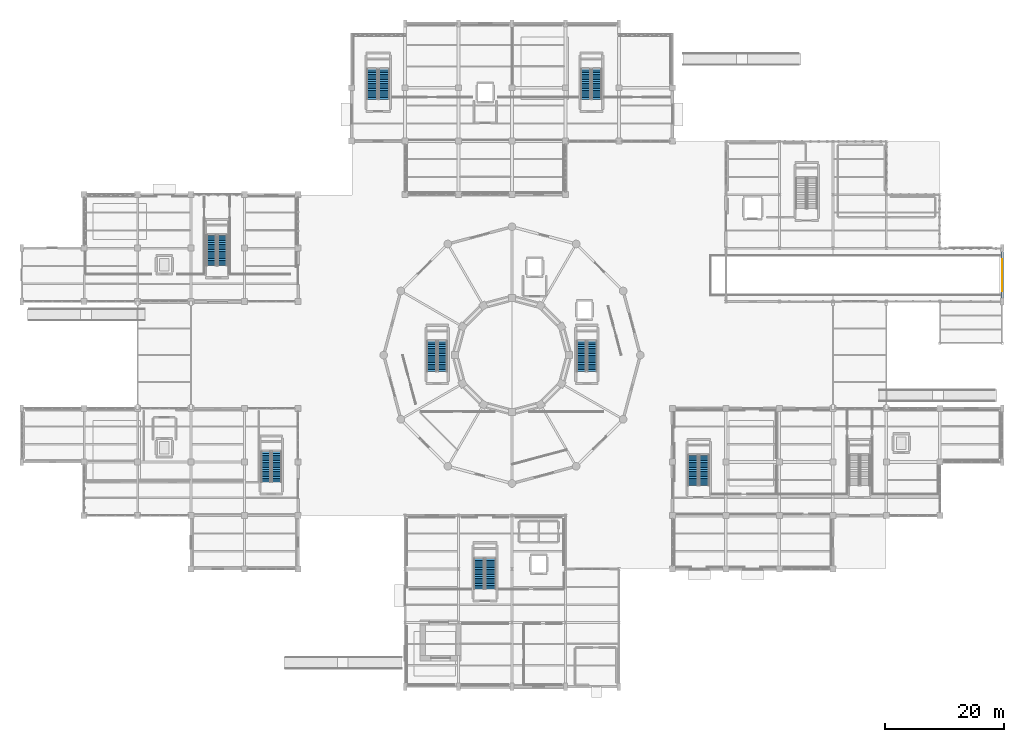
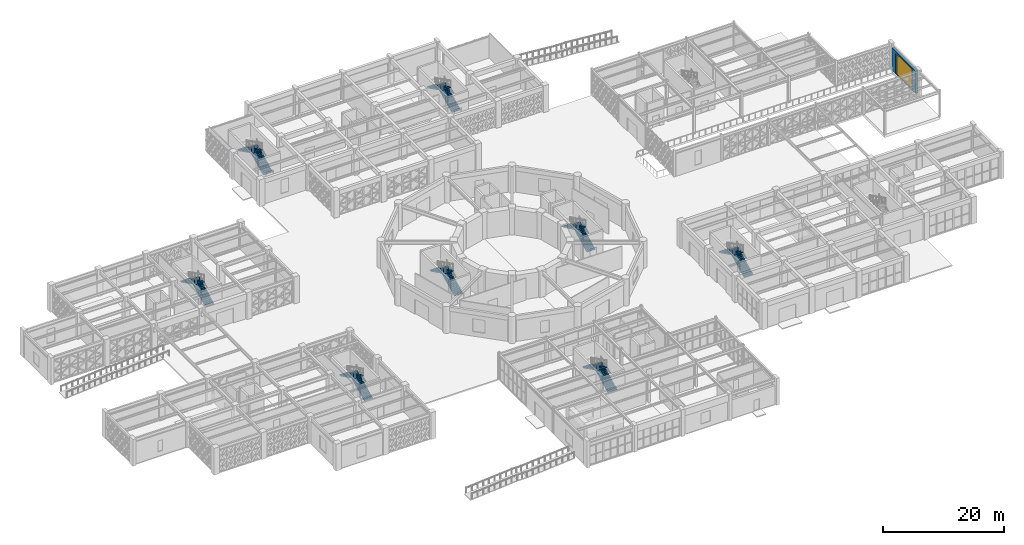
# One storey, part 122 of 140: 16 stair flights, 1 door, 1 wall, 1 opening, 8 elements without a shape of their own.
"""IFC4 building model written with IfcOpenShell, lengths in metres."""

from ifc_helpers import new_model, si_unit, direction, frame, frame_2d, origin, place, context, subcontext, project, spatial, polyline, rectangle, outline, extrude, material, layer, layer_set, type_object, element, fill, aggregate, save


model = new_model("IFC4")

# Units and contexts
model_context = context("Model", 3, precision=1e-05, world=origin(), true_north=direction((0.0, 1.0)))
body_context = subcontext(model_context, "Body", "Model", "MODEL_VIEW")
ifc_project = project(units=[si_unit("LENGTHUNIT", "METRE"), si_unit("AREAUNIT", "SQUARE_METRE"), si_unit("VOLUMEUNIT", "CUBIC_METRE"), si_unit("PLANEANGLEUNIT", "RADIAN"), si_unit("MASSUNIT", "GRAM", prefix="KILO")], contexts=[model_context])

# Site, building, storey
site_placement = place(None, origin())
site = spatial("IfcSite", under=ifc_project, at=site_placement, CompositionType="ELEMENT")
building_placement = place(site_placement, origin())
building = spatial("IfcBuilding", under=site, at=building_placement, Name="Haizhuo Lancet Aquarium", CompositionType="ELEMENT")
storey_placement = place(building_placement, origin())
storey = spatial("IfcBuildingStorey", under=building, at=storey_placement, Name="L00", CompositionType="ELEMENT", Elevation=0.0)

# Wall, opening, door
ifc_material_1 = material(Name="Shandong Grey Limestone Ashlar", Category="masonry")
ifc_layer = layer(ifc_material_1, 0.449951171875)
ifc_layer_set = layer_set([ifc_layer], Name="Shandong Grey Limestone Ashlar")
wall_type = type_object("IfcWallType", Name="EWL-ASH-450", PredefinedType="SOLIDWALL", material=ifc_layer_set)
wall_placement = place(storey_placement, frame((82.5, 17.35498046875, 0.0), z_axis=(0.0, 0.0, 1.0), x_axis=(0.0, -1.0, 0.0)))
wall = element("IfcWall", 1, at=wall_placement, inside=storey, type_object=wall_type, Name="L00 V7 vehicle ramp and loading portal wall", PredefinedType="SOLIDWALL", context=body_context, shape_type="SweptSolid", body=[
    extrude(rectangle(XDim=7.7099609375, YDim=0.449951171875, at=frame_2d((3.85498046875, 0.0))), origin(), (0.0, 0.0, 1.0), 4.550048828125),
])
opening_placement = place(wall_placement, frame((1.205078125, 0.0, 0.0)))
opening = element("IfcOpeningElement", 2, at=opening_placement, cuts=wall, Name="Opening VG-01", PredefinedType="OPENING", context=body_context, shape_type="SweptSolid", body=[
    extrude(rectangle(XDim=5.39990234375, YDim=4.199951171875, at=frame_2d((2.699951171875, 2.10009765625))), frame((0.0, 0.23486328125, 0.0), z_axis=(0.0, -1.0, 0.0), x_axis=(1.0, 0.0, 0.0)), (0.0, 0.0, 1.0), 0.469951),
])
ifc_material_2 = material(Name="Steel S355", Category="steel")
door_type = type_object("IfcDoorType", Name="EDR-VGATE-5400x4200", OperationType="NOTDEFINED", PredefinedType="GATE", material=ifc_material_2)
door_placement = place(opening_placement, origin())
door = element("IfcDoor", 3, at=door_placement, inside=storey, type_object=door_type, Name="B1 Parking Garage exterior rolling shutter gate VG-01", OperationType="ROLLINGUP", OverallHeight=4.199951171875, OverallWidth=5.39990234375, PredefinedType="GATE", context=body_context, shape_type="SweptSolid", body=[
    extrude(rectangle(XDim=5.39990234375, YDim=4.199951171875, at=frame_2d((2.699951171875, 2.10009765625))), frame((0.0, 0.02490234375, 0.0), z_axis=(0.0, -1.0, 0.0), x_axis=(1.0, 0.0, 0.0)), (0.0, 0.0, 1.0), 0.050048828125),
])
fill(opening, door)

# Stair, stair flights
ifc_material_3 = material(Name="Concrete C40/50", Category="concrete")
stair_type_1 = type_object("IfcStairType", Name="STR-HT-1600-54", PredefinedType="HALF_TURN_STAIR", material=ifc_material_3)
stair_1_placement = place(storey_placement, origin())
stair_1 = element("IfcStair", 4, at=stair_1_placement, inside=storey, type_object=stair_type_1, Name="L00 enclosed exit stair ST-01", PredefinedType="HALF_TURN_STAIR")
stair_flight_type_1 = type_object("IfcStairFlightType", Name="FLT-STR-1600-54", PredefinedType="STRAIGHT", material=ifc_material_3)
stair_flight_1_placement = place(storey_placement, frame((-11.699951171875, -2.75, 0.0), z_axis=(0.0, 0.0, 1.0), x_axis=(0.0, 1.0, 0.0)))
stair_flight_1 = element("IfcStairFlight", 5, at=stair_flight_1_placement, type_object=stair_flight_type_1, Name="ST-15 flight 1", NumberOfRisers=18, NumberOfTreads=17, PredefinedType="STRAIGHT", RiserHeight=0.15, TreadLength=0.3, context=body_context, shape_type="SweptSolid", body=[
    extrude(outline(polyline([(0.0, 0.0), (0.0, 0.14990234375), (0.300048828125, 0.14990234375), (0.300048828125, 0.300048828125), (0.60009765625, 0.300048828125), (0.60009765625, 0.449951171875), (0.89990234375, 0.449951171875), (0.89990234375, 0.60009765625), (1.199951171875, 0.60009765625), (1.199951171875, 0.75), (1.5, 0.75), (1.5, 0.89990234375), (1.800048828125, 0.89990234375), (1.800048828125, 1.050048828125), (2.10009765625, 1.050048828125), (2.10009765625, 1.199951171875), (2.39990234375, 1.199951171875), (2.39990234375, 1.35009765625), (2.699951171875, 1.35009765625), (2.699951171875, 1.5), (3.0, 1.5), (3.0, 1.64990234375), (3.300048828125, 1.64990234375), (3.300048828125, 1.800048828125), (3.60009765625, 1.800048828125), (3.60009765625, 1.949951171875), (3.89990234375, 1.949951171875), (3.89990234375, 2.10009765625), (4.199951171875, 2.10009765625), (4.199951171875, 2.25), (4.5, 2.25), (4.5, 2.39990234375), (4.800048828125, 2.39990234375), (4.800048828125, 2.550048828125), (5.10009765625, 2.550048828125), (5.10009765625, 2.699951171875), (5.10009765625, 2.37109375), (0.357666015625, 0.0), (0.0, 0.0)])), frame((0.0, 0.800048828125, 0.0), z_axis=(0.0, -1.0, 0.0), x_axis=(1.0, 0.0, 0.0)), (0.0, 0.0, 1.0), 1.60009765625),
])
stair_flight_2_placement = place(storey_placement, frame((-13.5, 2.35009765625, 2.699951171875), z_axis=(0.0, 0.0, 1.0), x_axis=(0.0, -1.0, 0.0)))
stair_flight_2 = element("IfcStairFlight", 6, at=stair_flight_2_placement, type_object=stair_flight_type_1, Name="ST-15 flight 2", NumberOfRisers=18, NumberOfTreads=17, PredefinedType="STRAIGHT", RiserHeight=0.15, TreadLength=0.3, context=body_context, shape_type="SweptSolid", body=[
    extrude(outline(polyline([(0.0, 0.0), (0.0, 0.14990234375), (0.300048828125, 0.14990234375), (0.300048828125, 0.300048828125), (0.60009765625, 0.300048828125), (0.60009765625, 0.449951171875), (0.89990234375, 0.449951171875), (0.89990234375, 0.60009765625), (1.199951171875, 0.60009765625), (1.199951171875, 0.75), (1.5, 0.75), (1.5, 0.89990234375), (1.800048828125, 0.89990234375), (1.800048828125, 1.050048828125), (2.10009765625, 1.050048828125), (2.10009765625, 1.199951171875), (2.39990234375, 1.199951171875), (2.39990234375, 1.35009765625), (2.699951171875, 1.35009765625), (2.699951171875, 1.5), (3.0, 1.5), (3.0, 1.64990234375), (3.300048828125, 1.64990234375), (3.300048828125, 1.800048828125), (3.60009765625, 1.800048828125), (3.60009765625, 1.949951171875), (3.89990234375, 1.949951171875), (3.89990234375, 2.10009765625), (4.199951171875, 2.10009765625), (4.199951171875, 2.25), (4.5, 2.25), (4.5, 2.39990234375), (4.800048828125, 2.39990234375), (4.800048828125, 2.550048828125), (5.10009765625, 2.550048828125), (5.10009765625, 2.699951171875), (5.10009765625, 2.37109375), (0.357666015625, 0.0), (0.0, 0.0)])), frame((0.0, 0.800048828125, 0.0), z_axis=(0.0, -1.0, 0.0), x_axis=(1.0, 0.0, 0.0)), (0.0, 0.0, 1.0), 1.60009765625),
])
aggregate(stair_1, [stair_flight_1, stair_flight_2])

stair_2_placement = place(storey_placement, origin())
stair_2 = element("IfcStair", 7, at=stair_2_placement, inside=storey, type_object=stair_type_1, Name="L00 enclosed exit stair ST-02", PredefinedType="HALF_TURN_STAIR")
stair_flight_3_placement = place(storey_placement, frame((13.5, -2.75, 0.0), z_axis=(0.0, 0.0, 1.0), x_axis=(0.0, 1.0, 0.0)))
stair_flight_3 = element("IfcStairFlight", 8, at=stair_flight_3_placement, type_object=stair_flight_type_1, Name="ST-15 flight 1", NumberOfRisers=18, NumberOfTreads=17, PredefinedType="STRAIGHT", RiserHeight=0.15, TreadLength=0.3, context=body_context, shape_type="SweptSolid", body=[
    extrude(outline(polyline([(0.0, 0.0), (0.0, 0.14990234375), (0.300048828125, 0.14990234375), (0.300048828125, 0.300048828125), (0.60009765625, 0.300048828125), (0.60009765625, 0.449951171875), (0.89990234375, 0.449951171875), (0.89990234375, 0.60009765625), (1.199951171875, 0.60009765625), (1.199951171875, 0.75), (1.5, 0.75), (1.5, 0.89990234375), (1.800048828125, 0.89990234375), (1.800048828125, 1.050048828125), (2.10009765625, 1.050048828125), (2.10009765625, 1.199951171875), (2.39990234375, 1.199951171875), (2.39990234375, 1.35009765625), (2.699951171875, 1.35009765625), (2.699951171875, 1.5), (3.0, 1.5), (3.0, 1.64990234375), (3.300048828125, 1.64990234375), (3.300048828125, 1.800048828125), (3.60009765625, 1.800048828125), (3.60009765625, 1.949951171875), (3.89990234375, 1.949951171875), (3.89990234375, 2.10009765625), (4.199951171875, 2.10009765625), (4.199951171875, 2.25), (4.5, 2.25), (4.5, 2.39990234375), (4.800048828125, 2.39990234375), (4.800048828125, 2.550048828125), (5.10009765625, 2.550048828125), (5.10009765625, 2.699951171875), (5.10009765625, 2.37109375), (0.357666015625, 0.0), (0.0, 0.0)])), frame((0.0, 0.800048828125, 0.0), z_axis=(0.0, -1.0, 0.0), x_axis=(1.0, 0.0, 0.0)), (0.0, 0.0, 1.0), 1.60009765625),
])
stair_flight_4_placement = place(storey_placement, frame((11.699951171875, 2.35009765625, 2.699951171875), z_axis=(0.0, 0.0, 1.0), x_axis=(0.0, -1.0, 0.0)))
stair_flight_4 = element("IfcStairFlight", 9, at=stair_flight_4_placement, type_object=stair_flight_type_1, Name="ST-15 flight 2", NumberOfRisers=18, NumberOfTreads=17, PredefinedType="STRAIGHT", RiserHeight=0.15, TreadLength=0.3, context=body_context, shape_type="SweptSolid", body=[
    extrude(outline(polyline([(0.0, 0.0), (0.0, 0.14990234375), (0.300048828125, 0.14990234375), (0.300048828125, 0.300048828125), (0.60009765625, 0.300048828125), (0.60009765625, 0.449951171875), (0.89990234375, 0.449951171875), (0.89990234375, 0.60009765625), (1.199951171875, 0.60009765625), (1.199951171875, 0.75), (1.5, 0.75), (1.5, 0.89990234375), (1.800048828125, 0.89990234375), (1.800048828125, 1.050048828125), (2.10009765625, 1.050048828125), (2.10009765625, 1.199951171875), (2.39990234375, 1.199951171875), (2.39990234375, 1.35009765625), (2.699951171875, 1.35009765625), (2.699951171875, 1.5), (3.0, 1.5), (3.0, 1.64990234375), (3.300048828125, 1.64990234375), (3.300048828125, 1.800048828125), (3.60009765625, 1.800048828125), (3.60009765625, 1.949951171875), (3.89990234375, 1.949951171875), (3.89990234375, 2.10009765625), (4.199951171875, 2.10009765625), (4.199951171875, 2.25), (4.5, 2.25), (4.5, 2.39990234375), (4.800048828125, 2.39990234375), (4.800048828125, 2.550048828125), (5.10009765625, 2.550048828125), (5.10009765625, 2.699951171875), (5.10009765625, 2.37109375), (0.357666015625, 0.0), (0.0, 0.0)])), frame((0.0, 0.800048828125, 0.0), z_axis=(0.0, -1.0, 0.0), x_axis=(1.0, 0.0, 0.0)), (0.0, 0.0, 1.0), 1.60009765625),
])
aggregate(stair_2, [stair_flight_3, stair_flight_4])

stair_3_placement = place(storey_placement, origin())
stair_3 = element("IfcStair", 10, at=stair_3_placement, inside=storey, type_object=stair_type_1, Name="L00 enclosed exit stair ST-09", PredefinedType="HALF_TURN_STAIR")
stair_flight_5_placement = place(storey_placement, frame((-39.60009765625, -21.35009765625, 0.0), z_axis=(0.0, 0.0, 1.0), x_axis=(0.0, 1.0, 0.0)))
stair_flight_5 = element("IfcStairFlight", 11, at=stair_flight_5_placement, type_object=stair_flight_type_1, Name="ST-15 flight 1", NumberOfRisers=18, NumberOfTreads=17, PredefinedType="STRAIGHT", RiserHeight=0.15, TreadLength=0.3, context=body_context, shape_type="SweptSolid", body=[
    extrude(outline(polyline([(0.0, 0.0), (0.0, 0.14990234375), (0.300048828125, 0.14990234375), (0.300048828125, 0.300048828125), (0.60009765625, 0.300048828125), (0.60009765625, 0.449951171875), (0.89990234375, 0.449951171875), (0.89990234375, 0.60009765625), (1.199951171875, 0.60009765625), (1.199951171875, 0.75), (1.5, 0.75), (1.5, 0.89990234375), (1.800048828125, 0.89990234375), (1.800048828125, 1.050048828125), (2.10009765625, 1.050048828125), (2.10009765625, 1.199951171875), (2.39990234375, 1.199951171875), (2.39990234375, 1.35009765625), (2.699951171875, 1.35009765625), (2.699951171875, 1.5), (3.0, 1.5), (3.0, 1.64990234375), (3.300048828125, 1.64990234375), (3.300048828125, 1.800048828125), (3.60009765625, 1.800048828125), (3.60009765625, 1.949951171875), (3.89990234375, 1.949951171875), (3.89990234375, 2.10009765625), (4.199951171875, 2.10009765625), (4.199951171875, 2.25), (4.5, 2.25), (4.5, 2.39990234375), (4.800048828125, 2.39990234375), (4.800048828125, 2.550048828125), (5.10009765625, 2.550048828125), (5.10009765625, 2.699951171875), (5.10009765625, 2.37109375), (0.357666015625, 0.0), (0.0, 0.0)])), frame((0.0, 0.800048828125, 0.0), z_axis=(0.0, -1.0, 0.0), x_axis=(1.0, 0.0, 0.0)), (0.0, 0.0, 1.0), 1.60009765625),
])
stair_flight_6_placement = place(storey_placement, frame((-41.39990234375, -16.25, 2.699951171875), z_axis=(0.0, 0.0, 1.0), x_axis=(0.0, -1.0, 0.0)))
stair_flight_6 = element("IfcStairFlight", 12, at=stair_flight_6_placement, type_object=stair_flight_type_1, Name="ST-15 flight 2", NumberOfRisers=18, NumberOfTreads=17, PredefinedType="STRAIGHT", RiserHeight=0.15, TreadLength=0.3, context=body_context, shape_type="SweptSolid", body=[
    extrude(outline(polyline([(0.0, 0.0), (0.0, 0.14990234375), (0.300048828125, 0.14990234375), (0.300048828125, 0.300048828125), (0.60009765625, 0.300048828125), (0.60009765625, 0.449951171875), (0.89990234375, 0.449951171875), (0.89990234375, 0.60009765625), (1.199951171875, 0.60009765625), (1.199951171875, 0.75), (1.5, 0.75), (1.5, 0.89990234375), (1.800048828125, 0.89990234375), (1.800048828125, 1.050048828125), (2.10009765625, 1.050048828125), (2.10009765625, 1.199951171875), (2.39990234375, 1.199951171875), (2.39990234375, 1.35009765625), (2.699951171875, 1.35009765625), (2.699951171875, 1.5), (3.0, 1.5), (3.0, 1.64990234375), (3.300048828125, 1.64990234375), (3.300048828125, 1.800048828125), (3.60009765625, 1.800048828125), (3.60009765625, 1.949951171875), (3.89990234375, 1.949951171875), (3.89990234375, 2.10009765625), (4.199951171875, 2.10009765625), (4.199951171875, 2.25), (4.5, 2.25), (4.5, 2.39990234375), (4.800048828125, 2.39990234375), (4.800048828125, 2.550048828125), (5.10009765625, 2.550048828125), (5.10009765625, 2.699951171875), (5.10009765625, 2.37109375), (0.357666015625, 0.0), (0.0, 0.0)])), frame((0.0, 0.800048828125, 0.0), z_axis=(0.0, -1.0, 0.0), x_axis=(1.0, 0.0, 0.0)), (0.0, 0.0, 1.0), 1.60009765625),
])
aggregate(stair_3, [stair_flight_5, stair_flight_6])

stair_type_2 = type_object("IfcStairType", Name="STR-HT-1650-54", PredefinedType="HALF_TURN_STAIR", material=ifc_material_3)
stair_4_placement = place(storey_placement, origin())
stair_4 = element("IfcStair", 13, at=stair_4_placement, inside=storey, type_object=stair_type_2, Name="L00 enclosed exit stair ST-03", PredefinedType="HALF_TURN_STAIR")
stair_flight_type_2 = type_object("IfcStairFlightType", Name="FLT-STR-1650-54", PredefinedType="STRAIGHT", material=ifc_material_3)
stair_flight_7_placement = place(storey_placement, frame((-48.72509765625, 15.050048828125, 0.0), z_axis=(0.0, 0.0, 1.0), x_axis=(0.0, 1.0, 0.0)))
stair_flight_7 = element("IfcStairFlight", 14, at=stair_flight_7_placement, type_object=stair_flight_type_2, Name="ST-25 flight 1", NumberOfRisers=18, NumberOfTreads=17, PredefinedType="STRAIGHT", RiserHeight=0.15, TreadLength=0.3, context=body_context, shape_type="SweptSolid", body=[
    extrude(outline(polyline([(0.0, 0.0), (0.0, 0.14990234375), (0.300048828125, 0.14990234375), (0.300048828125, 0.300048828125), (0.60009765625, 0.300048828125), (0.60009765625, 0.449951171875), (0.89990234375, 0.449951171875), (0.89990234375, 0.60009765625), (1.199951171875, 0.60009765625), (1.199951171875, 0.75), (1.5, 0.75), (1.5, 0.89990234375), (1.800048828125, 0.89990234375), (1.800048828125, 1.050048828125), (2.10009765625, 1.050048828125), (2.10009765625, 1.199951171875), (2.39990234375, 1.199951171875), (2.39990234375, 1.35009765625), (2.699951171875, 1.35009765625), (2.699951171875, 1.5), (3.0, 1.5), (3.0, 1.64990234375), (3.300048828125, 1.64990234375), (3.300048828125, 1.800048828125), (3.60009765625, 1.800048828125), (3.60009765625, 1.949951171875), (3.89990234375, 1.949951171875), (3.89990234375, 2.10009765625), (4.199951171875, 2.10009765625), (4.199951171875, 2.25), (4.5, 2.25), (4.5, 2.39990234375), (4.800048828125, 2.39990234375), (4.800048828125, 2.550048828125), (5.10009765625, 2.550048828125), (5.10009765625, 2.699951171875), (5.10009765625, 2.37109375), (0.357666015625, 0.0), (0.0, 0.0)])), frame((0.0, 0.824951171875, 0.0), z_axis=(0.0, -1.0, 0.0), x_axis=(1.0, 0.0, 0.0)), (0.0, 0.0, 1.0), 1.64990234375),
])
stair_flight_8_placement = place(storey_placement, frame((-50.574951171875, 20.14990234375, 2.699951171875), z_axis=(0.0, 0.0, 1.0), x_axis=(0.0, -1.0, 0.0)))
stair_flight_8 = element("IfcStairFlight", 15, at=stair_flight_8_placement, type_object=stair_flight_type_2, Name="ST-25 flight 2", NumberOfRisers=18, NumberOfTreads=17, PredefinedType="STRAIGHT", RiserHeight=0.15, TreadLength=0.3, context=body_context, shape_type="SweptSolid", body=[
    extrude(outline(polyline([(0.0, 0.0), (0.0, 0.14990234375), (0.300048828125, 0.14990234375), (0.300048828125, 0.300048828125), (0.60009765625, 0.300048828125), (0.60009765625, 0.449951171875), (0.89990234375, 0.449951171875), (0.89990234375, 0.60009765625), (1.199951171875, 0.60009765625), (1.199951171875, 0.75), (1.5, 0.75), (1.5, 0.89990234375), (1.800048828125, 0.89990234375), (1.800048828125, 1.050048828125), (2.10009765625, 1.050048828125), (2.10009765625, 1.199951171875), (2.39990234375, 1.199951171875), (2.39990234375, 1.35009765625), (2.699951171875, 1.35009765625), (2.699951171875, 1.5), (3.0, 1.5), (3.0, 1.64990234375), (3.300048828125, 1.64990234375), (3.300048828125, 1.800048828125), (3.60009765625, 1.800048828125), (3.60009765625, 1.949951171875), (3.89990234375, 1.949951171875), (3.89990234375, 2.10009765625), (4.199951171875, 2.10009765625), (4.199951171875, 2.25), (4.5, 2.25), (4.5, 2.39990234375), (4.800048828125, 2.39990234375), (4.800048828125, 2.550048828125), (5.10009765625, 2.550048828125), (5.10009765625, 2.699951171875), (5.10009765625, 2.37109375), (0.357666015625, 0.0), (0.0, 0.0)])), frame((0.0, 0.824951171875, 0.0), z_axis=(0.0, -1.0, 0.0), x_axis=(1.0, 0.0, 0.0)), (0.0, 0.0, 1.0), 1.64990234375),
])
aggregate(stair_4, [stair_flight_7, stair_flight_8])

stair_5_placement = place(storey_placement, origin())
stair_5 = element("IfcStair", 16, at=stair_5_placement, inside=storey, type_object=stair_type_2, Name="L00 enclosed exit stair ST-08", PredefinedType="HALF_TURN_STAIR")
stair_flight_9_placement = place(storey_placement, frame((14.27490234375, 43.050048828125, 0.0), z_axis=(0.0, 0.0, 1.0), x_axis=(0.0, 1.0, 0.0)))
stair_flight_9 = element("IfcStairFlight", 17, at=stair_flight_9_placement, type_object=stair_flight_type_2, Name="ST-25 flight 1", NumberOfRisers=18, NumberOfTreads=17, PredefinedType="STRAIGHT", RiserHeight=0.15, TreadLength=0.3, context=body_context, shape_type="SweptSolid", body=[
    extrude(outline(polyline([(0.0, 0.0), (0.0, 0.14990234375), (0.300048828125, 0.14990234375), (0.300048828125, 0.300048828125), (0.60009765625, 0.300048828125), (0.60009765625, 0.449951171875), (0.89990234375, 0.449951171875), (0.89990234375, 0.60009765625), (1.199951171875, 0.60009765625), (1.199951171875, 0.75), (1.5, 0.75), (1.5, 0.89990234375), (1.800048828125, 0.89990234375), (1.800048828125, 1.050048828125), (2.10009765625, 1.050048828125), (2.10009765625, 1.199951171875), (2.39990234375, 1.199951171875), (2.39990234375, 1.35009765625), (2.699951171875, 1.35009765625), (2.699951171875, 1.5), (3.0, 1.5), (3.0, 1.64990234375), (3.300048828125, 1.64990234375), (3.300048828125, 1.800048828125), (3.60009765625, 1.800048828125), (3.60009765625, 1.949951171875), (3.89990234375, 1.949951171875), (3.89990234375, 2.10009765625), (4.199951171875, 2.10009765625), (4.199951171875, 2.25), (4.5, 2.25), (4.5, 2.39990234375), (4.800048828125, 2.39990234375), (4.800048828125, 2.550048828125), (5.10009765625, 2.550048828125), (5.10009765625, 2.699951171875), (5.10009765625, 2.37109375), (0.357666015625, 0.0), (0.0, 0.0)])), frame((0.0, 0.824951171875, 0.0), z_axis=(0.0, -1.0, 0.0), x_axis=(1.0, 0.0, 0.0)), (0.0, 0.0, 1.0), 1.64990234375),
])
stair_flight_10_placement = place(storey_placement, frame((12.425048828125, 48.14990234375, 2.699951171875), z_axis=(0.0, 0.0, 1.0), x_axis=(0.0, -1.0, 0.0)))
stair_flight_10 = element("IfcStairFlight", 18, at=stair_flight_10_placement, type_object=stair_flight_type_2, Name="ST-25 flight 2", NumberOfRisers=18, NumberOfTreads=17, PredefinedType="STRAIGHT", RiserHeight=0.15, TreadLength=0.3, context=body_context, shape_type="SweptSolid", body=[
    extrude(outline(polyline([(0.0, 0.0), (0.0, 0.14990234375), (0.300048828125, 0.14990234375), (0.300048828125, 0.300048828125), (0.60009765625, 0.300048828125), (0.60009765625, 0.449951171875), (0.89990234375, 0.449951171875), (0.89990234375, 0.60009765625), (1.199951171875, 0.60009765625), (1.199951171875, 0.75), (1.5, 0.75), (1.5, 0.89990234375), (1.800048828125, 0.89990234375), (1.800048828125, 1.050048828125), (2.10009765625, 1.050048828125), (2.10009765625, 1.199951171875), (2.39990234375, 1.199951171875), (2.39990234375, 1.35009765625), (2.699951171875, 1.35009765625), (2.699951171875, 1.5), (3.0, 1.5), (3.0, 1.64990234375), (3.300048828125, 1.64990234375), (3.300048828125, 1.800048828125), (3.60009765625, 1.800048828125), (3.60009765625, 1.949951171875), (3.89990234375, 1.949951171875), (3.89990234375, 2.10009765625), (4.199951171875, 2.10009765625), (4.199951171875, 2.25), (4.5, 2.25), (4.5, 2.39990234375), (4.800048828125, 2.39990234375), (4.800048828125, 2.550048828125), (5.10009765625, 2.550048828125), (5.10009765625, 2.699951171875), (5.10009765625, 2.37109375), (0.357666015625, 0.0), (0.0, 0.0)])), frame((0.0, 0.824951171875, 0.0), z_axis=(0.0, -1.0, 0.0), x_axis=(1.0, 0.0, 0.0)), (0.0, 0.0, 1.0), 1.64990234375),
])
aggregate(stair_5, [stair_flight_9, stair_flight_10])

stair_type_3 = type_object("IfcStairType", Name="STR-HT-1700-54", PredefinedType="HALF_TURN_STAIR", material=ifc_material_3)
stair_6_placement = place(storey_placement, origin())
stair_6 = element("IfcStair", 19, at=stair_6_placement, inside=storey, type_object=stair_type_3, Name="L00 enclosed exit stair ST-04", PredefinedType="HALF_TURN_STAIR")
stair_flight_type_3 = type_object("IfcStairFlightType", Name="FLT-STR-1700-54", PredefinedType="STRAIGHT", material=ifc_material_3)
stair_flight_11_placement = place(storey_placement, frame((32.35009765625, -21.949951171875, 0.0), z_axis=(0.0, 0.0, 1.0), x_axis=(0.0, 1.0, 0.0)))
stair_flight_11 = element("IfcStairFlight", 20, at=stair_flight_11_placement, type_object=stair_flight_type_3, Name="ST-35 flight 1", NumberOfRisers=18, NumberOfTreads=17, PredefinedType="STRAIGHT", RiserHeight=0.15, TreadLength=0.3, context=body_context, shape_type="SweptSolid", body=[
    extrude(outline(polyline([(0.0, 0.0), (0.0, 0.14990234375), (0.300048828125, 0.14990234375), (0.300048828125, 0.300048828125), (0.60009765625, 0.300048828125), (0.60009765625, 0.449951171875), (0.89990234375, 0.449951171875), (0.89990234375, 0.60009765625), (1.199951171875, 0.60009765625), (1.199951171875, 0.75), (1.5, 0.75), (1.5, 0.89990234375), (1.800048828125, 0.89990234375), (1.800048828125, 1.050048828125), (2.10009765625, 1.050048828125), (2.10009765625, 1.199951171875), (2.39990234375, 1.199951171875), (2.39990234375, 1.35009765625), (2.699951171875, 1.35009765625), (2.699951171875, 1.5), (3.0, 1.5), (3.0, 1.64990234375), (3.300048828125, 1.64990234375), (3.300048828125, 1.800048828125), (3.60009765625, 1.800048828125), (3.60009765625, 1.949951171875), (3.89990234375, 1.949951171875), (3.89990234375, 2.10009765625), (4.199951171875, 2.10009765625), (4.199951171875, 2.25), (4.5, 2.25), (4.5, 2.39990234375), (4.800048828125, 2.39990234375), (4.800048828125, 2.550048828125), (5.10009765625, 2.550048828125), (5.10009765625, 2.699951171875), (5.10009765625, 2.37109375), (0.357666015625, 0.0), (0.0, 0.0)])), frame((0.0, 0.85009765625, 0.0), z_axis=(0.0, -1.0, 0.0), x_axis=(1.0, 0.0, 0.0)), (0.0, 0.0, 1.0), 1.699951171875),
])
stair_flight_12_placement = place(storey_placement, frame((30.449951171875, -16.85009765625, 2.699951171875), z_axis=(0.0, 0.0, 1.0), x_axis=(0.0, -1.0, 0.0)))
stair_flight_12 = element("IfcStairFlight", 21, at=stair_flight_12_placement, type_object=stair_flight_type_3, Name="ST-35 flight 2", NumberOfRisers=18, NumberOfTreads=17, PredefinedType="STRAIGHT", RiserHeight=0.15, TreadLength=0.3, context=body_context, shape_type="SweptSolid", body=[
    extrude(outline(polyline([(0.0, 0.0), (0.0, 0.14990234375), (0.300048828125, 0.14990234375), (0.300048828125, 0.300048828125), (0.60009765625, 0.300048828125), (0.60009765625, 0.449951171875), (0.89990234375, 0.449951171875), (0.89990234375, 0.60009765625), (1.199951171875, 0.60009765625), (1.199951171875, 0.75), (1.5, 0.75), (1.5, 0.89990234375), (1.800048828125, 0.89990234375), (1.800048828125, 1.050048828125), (2.10009765625, 1.050048828125), (2.10009765625, 1.199951171875), (2.39990234375, 1.199951171875), (2.39990234375, 1.35009765625), (2.699951171875, 1.35009765625), (2.699951171875, 1.5), (3.0, 1.5), (3.0, 1.64990234375), (3.300048828125, 1.64990234375), (3.300048828125, 1.800048828125), (3.60009765625, 1.800048828125), (3.60009765625, 1.949951171875), (3.89990234375, 1.949951171875), (3.89990234375, 2.10009765625), (4.199951171875, 2.10009765625), (4.199951171875, 2.25), (4.5, 2.25), (4.5, 2.39990234375), (4.800048828125, 2.39990234375), (4.800048828125, 2.550048828125), (5.10009765625, 2.550048828125), (5.10009765625, 2.699951171875), (5.10009765625, 2.37109375), (0.357666015625, 0.0), (0.0, 0.0)])), frame((0.0, 0.85009765625, 0.0), z_axis=(0.0, -1.0, 0.0), x_axis=(1.0, 0.0, 0.0)), (0.0, 0.0, 1.0), 1.699951171875),
])
aggregate(stair_6, [stair_flight_11, stair_flight_12])

stair_type_4 = type_object("IfcStairType", Name="STR-HT-1750-54", PredefinedType="HALF_TURN_STAIR", material=ifc_material_3)
stair_7_placement = place(storey_placement, origin())
stair_7 = element("IfcStair", 22, at=stair_7_placement, inside=storey, type_object=stair_type_4, Name="L00 enclosed exit stair ST-06", PredefinedType="HALF_TURN_STAIR")
stair_flight_type_4 = type_object("IfcStairFlightType", Name="FLT-STR-1750-54", PredefinedType="STRAIGHT", material=ifc_material_3)
stair_flight_13_placement = place(storey_placement, frame((-3.574951171875, -39.35009765625, 0.0), z_axis=(0.0, 0.0, 1.0), x_axis=(0.0, 1.0, 0.0)))
stair_flight_13 = element("IfcStairFlight", 23, at=stair_flight_13_placement, type_object=stair_flight_type_4, Name="ST-45 flight 1", NumberOfRisers=18, NumberOfTreads=17, PredefinedType="STRAIGHT", RiserHeight=0.15, TreadLength=0.3, context=body_context, shape_type="SweptSolid", body=[
    extrude(outline(polyline([(0.0, 0.0), (0.0, 0.14990234375), (0.300048828125, 0.14990234375), (0.300048828125, 0.300048828125), (0.60009765625, 0.300048828125), (0.60009765625, 0.449951171875), (0.89990234375, 0.449951171875), (0.89990234375, 0.60009765625), (1.199951171875, 0.60009765625), (1.199951171875, 0.75), (1.5, 0.75), (1.5, 0.89990234375), (1.800048828125, 0.89990234375), (1.800048828125, 1.050048828125), (2.10009765625, 1.050048828125), (2.10009765625, 1.199951171875), (2.39990234375, 1.199951171875), (2.39990234375, 1.35009765625), (2.699951171875, 1.35009765625), (2.699951171875, 1.5), (3.0, 1.5), (3.0, 1.64990234375), (3.300048828125, 1.64990234375), (3.300048828125, 1.800048828125), (3.60009765625, 1.800048828125), (3.60009765625, 1.949951171875), (3.89990234375, 1.949951171875), (3.89990234375, 2.10009765625), (4.199951171875, 2.10009765625), (4.199951171875, 2.25), (4.5, 2.25), (4.5, 2.39990234375), (4.800048828125, 2.39990234375), (4.800048828125, 2.550048828125), (5.10009765625, 2.550048828125), (5.10009765625, 2.699951171875), (5.10009765625, 2.37109375), (0.357666015625, 0.0), (0.0, 0.0)])), frame((0.0, 0.875, 0.0), z_axis=(0.0, -1.0, 0.0), x_axis=(1.0, 0.0, 0.0)), (0.0, 0.0, 1.0), 1.75),
])
stair_flight_14_placement = place(storey_placement, frame((-5.52490234375, -34.25, 2.699951171875), z_axis=(0.0, 0.0, 1.0), x_axis=(0.0, -1.0, 0.0)))
stair_flight_14 = element("IfcStairFlight", 24, at=stair_flight_14_placement, type_object=stair_flight_type_4, Name="ST-45 flight 2", NumberOfRisers=18, NumberOfTreads=17, PredefinedType="STRAIGHT", RiserHeight=0.15, TreadLength=0.3, context=body_context, shape_type="SweptSolid", body=[
    extrude(outline(polyline([(0.0, 0.0), (0.0, 0.14990234375), (0.300048828125, 0.14990234375), (0.300048828125, 0.300048828125), (0.60009765625, 0.300048828125), (0.60009765625, 0.449951171875), (0.89990234375, 0.449951171875), (0.89990234375, 0.60009765625), (1.199951171875, 0.60009765625), (1.199951171875, 0.75), (1.5, 0.75), (1.5, 0.89990234375), (1.800048828125, 0.89990234375), (1.800048828125, 1.050048828125), (2.10009765625, 1.050048828125), (2.10009765625, 1.199951171875), (2.39990234375, 1.199951171875), (2.39990234375, 1.35009765625), (2.699951171875, 1.35009765625), (2.699951171875, 1.5), (3.0, 1.5), (3.0, 1.64990234375), (3.300048828125, 1.64990234375), (3.300048828125, 1.800048828125), (3.60009765625, 1.800048828125), (3.60009765625, 1.949951171875), (3.89990234375, 1.949951171875), (3.89990234375, 2.10009765625), (4.199951171875, 2.10009765625), (4.199951171875, 2.25), (4.5, 2.25), (4.5, 2.39990234375), (4.800048828125, 2.39990234375), (4.800048828125, 2.550048828125), (5.10009765625, 2.550048828125), (5.10009765625, 2.699951171875), (5.10009765625, 2.37109375), (0.357666015625, 0.0), (0.0, 0.0)])), frame((0.0, 0.875, 0.0), z_axis=(0.0, -1.0, 0.0), x_axis=(1.0, 0.0, 0.0)), (0.0, 0.0, 1.0), 1.75),
])
aggregate(stair_7, [stair_flight_13, stair_flight_14])

stair_type_5 = type_object("IfcStairType", Name="STR-HT-1800-54", PredefinedType="HALF_TURN_STAIR", material=ifc_material_3)
stair_8_placement = place(storey_placement, origin())
stair_8 = element("IfcStair", 25, at=stair_8_placement, inside=storey, type_object=stair_type_5, Name="L00 enclosed exit stair ST-07", PredefinedType="HALF_TURN_STAIR")
stair_flight_type_5 = type_object("IfcStairFlightType", Name="FLT-STR-1800-54", PredefinedType="STRAIGHT", material=ifc_material_3)
stair_flight_15_placement = place(storey_placement, frame((-21.5, 43.050048828125, 0.0), z_axis=(0.0, 0.0, 1.0), x_axis=(0.0, 1.0, 0.0)))
stair_flight_15 = element("IfcStairFlight", 26, at=stair_flight_15_placement, type_object=stair_flight_type_5, Name="ST-55 flight 1", NumberOfRisers=18, NumberOfTreads=17, PredefinedType="STRAIGHT", RiserHeight=0.15, TreadLength=0.3, context=body_context, shape_type="SweptSolid", body=[
    extrude(outline(polyline([(0.0, 0.0), (0.0, 0.14990234375), (0.300048828125, 0.14990234375), (0.300048828125, 0.300048828125), (0.60009765625, 0.300048828125), (0.60009765625, 0.449951171875), (0.89990234375, 0.449951171875), (0.89990234375, 0.60009765625), (1.199951171875, 0.60009765625), (1.199951171875, 0.75), (1.5, 0.75), (1.5, 0.89990234375), (1.800048828125, 0.89990234375), (1.800048828125, 1.050048828125), (2.10009765625, 1.050048828125), (2.10009765625, 1.199951171875), (2.39990234375, 1.199951171875), (2.39990234375, 1.35009765625), (2.699951171875, 1.35009765625), (2.699951171875, 1.5), (3.0, 1.5), (3.0, 1.64990234375), (3.300048828125, 1.64990234375), (3.300048828125, 1.800048828125), (3.60009765625, 1.800048828125), (3.60009765625, 1.949951171875), (3.89990234375, 1.949951171875), (3.89990234375, 2.10009765625), (4.199951171875, 2.10009765625), (4.199951171875, 2.25), (4.5, 2.25), (4.5, 2.39990234375), (4.800048828125, 2.39990234375), (4.800048828125, 2.550048828125), (5.10009765625, 2.550048828125), (5.10009765625, 2.699951171875), (5.10009765625, 2.37109375), (0.357666015625, 0.0), (0.0, 0.0)])), frame((0.0, 0.89990234375, 0.0), z_axis=(0.0, -1.0, 0.0), x_axis=(1.0, 0.0, 0.0)), (0.0, 0.0, 1.0), 1.800048828125),
])
stair_flight_16_placement = place(storey_placement, frame((-23.5, 48.14990234375, 2.699951171875), z_axis=(0.0, 0.0, 1.0), x_axis=(0.0, -1.0, 0.0)))
stair_flight_16 = element("IfcStairFlight", 27, at=stair_flight_16_placement, type_object=stair_flight_type_5, Name="ST-55 flight 2", NumberOfRisers=18, NumberOfTreads=17, PredefinedType="STRAIGHT", RiserHeight=0.15, TreadLength=0.3, context=body_context, shape_type="SweptSolid", body=[
    extrude(outline(polyline([(0.0, 0.0), (0.0, 0.14990234375), (0.300048828125, 0.14990234375), (0.300048828125, 0.300048828125), (0.60009765625, 0.300048828125), (0.60009765625, 0.449951171875), (0.89990234375, 0.449951171875), (0.89990234375, 0.60009765625), (1.199951171875, 0.60009765625), (1.199951171875, 0.75), (1.5, 0.75), (1.5, 0.89990234375), (1.800048828125, 0.89990234375), (1.800048828125, 1.050048828125), (2.10009765625, 1.050048828125), (2.10009765625, 1.199951171875), (2.39990234375, 1.199951171875), (2.39990234375, 1.35009765625), (2.699951171875, 1.35009765625), (2.699951171875, 1.5), (3.0, 1.5), (3.0, 1.64990234375), (3.300048828125, 1.64990234375), (3.300048828125, 1.800048828125), (3.60009765625, 1.800048828125), (3.60009765625, 1.949951171875), (3.89990234375, 1.949951171875), (3.89990234375, 2.10009765625), (4.199951171875, 2.10009765625), (4.199951171875, 2.25), (4.5, 2.25), (4.5, 2.39990234375), (4.800048828125, 2.39990234375), (4.800048828125, 2.550048828125), (5.10009765625, 2.550048828125), (5.10009765625, 2.699951171875), (5.10009765625, 2.37109375), (0.357666015625, 0.0), (0.0, 0.0)])), frame((0.0, 0.89990234375, 0.0), z_axis=(0.0, -1.0, 0.0), x_axis=(1.0, 0.0, 0.0)), (0.0, 0.0, 1.0), 1.800048828125),
])
aggregate(stair_8, [stair_flight_15, stair_flight_16])

save(model, "model.ifc")
